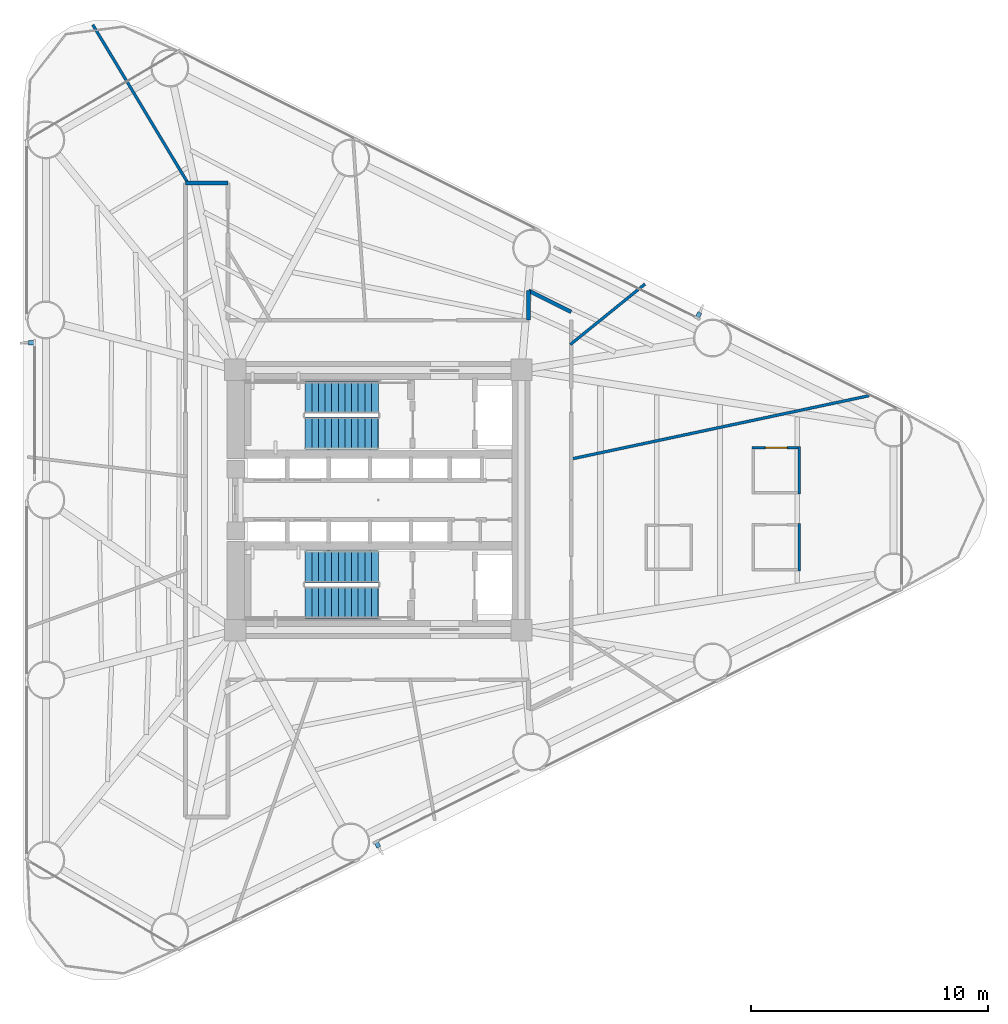
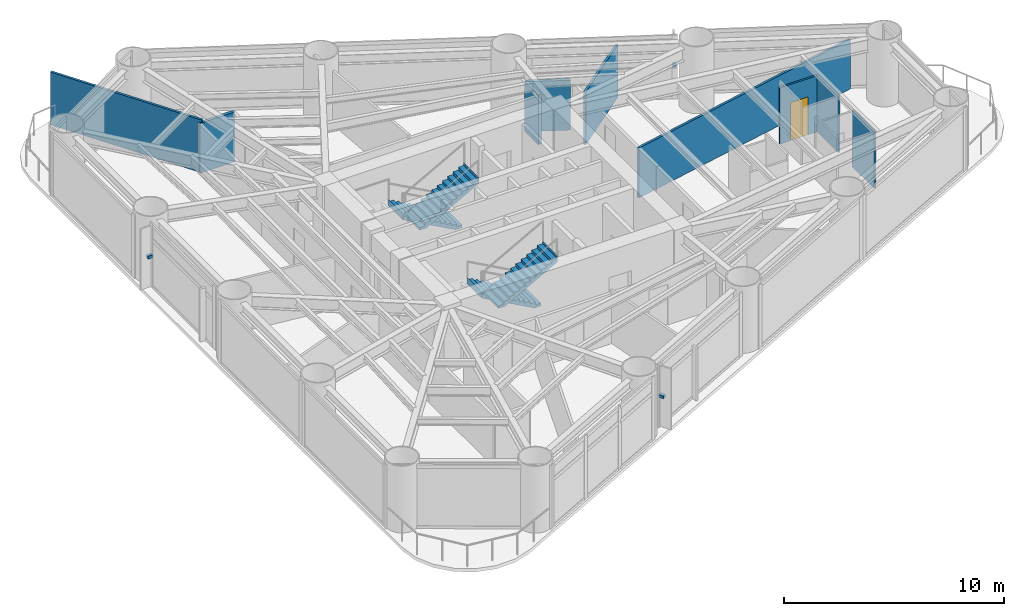
# One storey, part 7 of 10: 9 walls, 4 stair flights, 3 discrete accessories, 1 door, 1 opening, 2 elements without a shape of their own.
"""IFC4 building model written with IfcOpenShell, lengths in metres."""

from ifc_helpers import new_model, si_unit, direction, frame, frame_2d, origin, origin_2d, place, context, subcontext, project, spatial, polyline, rectangle, outline, extrude, source, transform, mapped, material, layer, layer_set, type_object, element, fill, aggregate, save


model = new_model("IFC4")

# Units and contexts
model_context = context("Model", 3, precision=1e-05, world=origin(), true_north=direction((0.0, 1.0)))
body_context = subcontext(model_context, "Body", "Model", "MODEL_VIEW")
ifc_project = project(units=[si_unit("LENGTHUNIT", "METRE"), si_unit("AREAUNIT", "SQUARE_METRE"), si_unit("VOLUMEUNIT", "CUBIC_METRE"), si_unit("PLANEANGLEUNIT", "RADIAN"), si_unit("MASSUNIT", "GRAM", prefix="KILO")], contexts=[model_context])

# Site, building, storey
site_placement = place(None, origin())
site = spatial("IfcSite", under=ifc_project, at=site_placement, CompositionType="ELEMENT")
building_placement = place(site_placement, origin())
building = spatial("IfcBuilding", under=site, at=building_placement, Name="Yunling Apex Tower", CompositionType="ELEMENT")
storey_placement = place(building_placement, frame((0.0, 0.0, 46.0)))
storey = spatial("IfcBuildingStorey", under=building, at=storey_placement, Name="L13", CompositionType="ELEMENT", Elevation=46.0)

# Walls
ifc_material_1 = material(Name="Gypsum board acoustic partition")
ifc_layer_1 = layer(ifc_material_1, 0.159912109375)
ifc_layer_set_1 = layer_set([ifc_layer_1], Name="Gypsum board acoustic partition")
wall_type_1 = type_object("IfcWallType", Name="WL-PRT-1", PredefinedType="PARTITIONING", material=ifc_layer_set_1)
wall_1_placement = place(storey_placement, frame((-8.14990234375, 13.39990234375, 0.0), z_axis=(0.0, 0.0, 1.0), x_axis=(1.0, 0.0, 0.0)))
element("IfcWall", 1, at=wall_1_placement, inside=storey, type_object=wall_type_1, Name="WL-CORR-L13-07", PredefinedType="PARTITIONING", context=body_context, shape_type="SweptSolid", body=[
    extrude(rectangle(XDim=1.7998046875, YDim=0.159912109375, at=frame_2d((0.89990234375, 0.0))), origin(), (0.0, 0.0, 1.0), 2.764892578125),
])
wall_2_placement = place(storey_placement, frame((6.35009765625, 7.60009765625, 0.0), z_axis=(0.0, 0.0, 1.0), x_axis=(0.0, 1.0, 0.0)))
element("IfcWall", 2, at=wall_2_placement, inside=storey, type_object=wall_type_1, Name="WL-CORR-L13-10", PredefinedType="PARTITIONING", context=body_context, shape_type="SweptSolid", body=[
    extrude(rectangle(XDim=1.24609375, YDim=0.159912109375, at=frame_2d((0.623046875, 0.0))), origin(), (0.0, 0.0, 1.0), 2.764892578125),
])
wall_3_placement = place(storey_placement, frame((6.35009765625, 8.84619140625, 0.0), z_axis=(0.0, 0.0, 1.0), x_axis=(0.895251454268, -0.445561256879, 0.0)))
element("IfcWall", 3, at=wall_3_placement, inside=storey, type_object=wall_type_1, Name="WL-CORR-L13-11", PredefinedType="PARTITIONING", context=body_context, shape_type="SweptSolid", body=[
    extrude(rectangle(XDim=2.010498046875, YDim=0.159912109375, at=frame_2d((1.00537109375, 0.0))), origin(), (0.0, 0.0, 1.0), 2.764892578125),
])
ifc_layer_2 = layer(ifc_material_1, 0.1201171875)
ifc_layer_set_2 = layer_set([ifc_layer_2], Name="Gypsum board acoustic partition")
wall_type_2 = type_object("IfcWallType", Name="WL-PRT-3", PredefinedType="PARTITIONING", material=ifc_layer_set_2)
wall_4_placement = place(storey_placement, frame((8.110107421875, 6.5673828125, 0.0), z_axis=(0.0, 0.0, 1.0), x_axis=(0.777144107081, 0.629322681007, 0.0)))
element("IfcWall", 4, at=wall_4_placement, inside=storey, type_object=wall_type_2, Name="WL-RAD-L13-01", PredefinedType="PARTITIONING", context=body_context, shape_type="SweptSolid", body=[
    extrude(rectangle(XDim=4.06298828125, YDim=0.1201171875, at=frame_2d((2.031494140625, 0.0))), origin(), (0.0, 0.0, 1.0), 2.925048828125),
])
wall_5_placement = place(storey_placement, frame((-8.027587890625, 13.360107421875, 0.0), z_axis=(0.0, 0.0, 1.0), x_axis=(-0.515031259007, 0.857171396073, 0.0)))
element("IfcWall", 5, at=wall_5_placement, inside=storey, type_object=wall_type_2, Name="WL-RAD-L13-04", PredefinedType="PARTITIONING", context=body_context, shape_type="SweptSolid", body=[
    extrude(rectangle(XDim=7.8427734375, YDim=0.1201171875, at=frame_2d((3.92138671875, 0.0))), origin(), (0.0, 0.0, 1.0), 2.925048828125),
])
wall_6_placement = place(storey_placement, frame((8.110107421875, 1.723876953125, 0.0), z_axis=(0.0, 0.0, 1.0), x_axis=(0.978149384457, 0.207903298882, 0.0)))
element("IfcWall", 6, at=wall_6_placement, inside=storey, type_object=wall_type_2, Name="WL-RAD-L13-10", PredefinedType="PARTITIONING", context=body_context, shape_type="SweptSolid", body=[
    extrude(rectangle(XDim=12.913818359375, YDim=0.1201171875, at=frame_2d((6.45703125, 0.0))), origin(), (0.0, 0.0, 1.0), 2.764892578125),
])
ifc_layer_3 = layer(ifc_material_1, 0.10009765625)
ifc_layer_set_3 = layer_set([ifc_layer_3], Name="Gypsum board acoustic partition")
wall_type_3 = type_object("IfcWallType", Name="WL-PRT-4", PredefinedType="PARTITIONING", material=ifc_layer_set_3)
wall_7_placement = place(storey_placement, frame((17.794921875, -0.9970703125, 0.0), z_axis=(0.0, 0.0, 1.0), x_axis=(0.0, -1.0, 0.0)))
element("IfcWall", 7, at=wall_7_placement, inside=storey, type_object=wall_type_3, Name="WL-L13-WCME", PredefinedType="PARTITIONING", context=body_context, shape_type="SweptSolid", body=[
    extrude(rectangle(XDim=2.0, YDim=0.10009765625, at=frame_2d((1.0, 0.0))), origin(), (0.0, 0.0, 1.0), 3.114990234375),
])

# Wall, opening, door
wall_8_placement = place(storey_placement, frame((15.794921875, 2.2109375, 0.0), z_axis=(0.0, 0.0, 1.0), x_axis=(1.0, 0.0, 0.0)))
wall_8 = element("IfcWall", 8, at=wall_8_placement, inside=storey, type_object=wall_type_3, Name="WL-L13-WCFN", PredefinedType="PARTITIONING", context=body_context, shape_type="SweptSolid", body=[
    extrude(rectangle(XDim=2.050048828125, YDim=0.10009765625, at=frame_2d((1.02490234375, 0.0))), origin(), (0.0, 0.0, 1.0), 3.114990234375),
])
opening_placement = place(wall_8_placement, frame((0.56494140625, 0.0, 0.0)))
opening = element("IfcOpeningElement", 9, at=opening_placement, cuts=wall_8, Name="Opening DR-WC-1", PredefinedType="OPENING", context=body_context, shape_type="SweptSolid", body=[
    extrude(rectangle(XDim=0.919921875, YDim=2.10009765625, at=frame_2d((0.4599609375, 1.050048828125))), frame((0.0, 0.06005859375, 0.0), z_axis=(0.0, -1.0, 0.0), x_axis=(1.0, 0.0, 0.0)), (0.0, 0.0, 1.0), 0.1201171875),
])
ifc_material_2 = material(Name="Timber moisture-resistant leaf", Category="wood")
door_type = type_object("IfcDoorType", Name="DR-WC-1", OperationType="NOTDEFINED", PredefinedType="DOOR", material=ifc_material_2)
door_placement = place(opening_placement, origin())
door = element("IfcDoor", 10, at=door_placement, inside=storey, type_object=door_type, Name="L13 Female Toilet Door", OperationType="SINGLE_SWING_RIGHT", OverallHeight=2.10009765625, OverallWidth=0.919921875, PredefinedType="DOOR", context=body_context, shape_type="SweptSolid", body=[
    extrude(rectangle(XDim=0.919921875, YDim=2.10009765625, at=frame_2d((0.4599609375, 1.050048828125))), frame((0.0, 0.02490234375, 0.0), z_axis=(0.0, -1.0, 0.0), x_axis=(1.0, 0.0, 0.0)), (0.0, 0.0, 1.0), 0.050048828125),
])
fill(opening, door)

# Wall
wall_9_placement = place(storey_placement, frame((17.794921875, 2.260986328125, 0.0), z_axis=(0.0, 0.0, 1.0), x_axis=(0.0, -1.0, 0.0)))
element("IfcWall", 11, at=wall_9_placement, inside=storey, type_object=wall_type_3, Name="WL-L13-WCFE", PredefinedType="PARTITIONING", context=body_context, shape_type="SweptSolid", body=[
    extrude(rectangle(XDim=2.0, YDim=0.10009765625, at=frame_2d((1.0, 0.0))), origin(), (0.0, 0.0, 1.0), 3.114990234375),
])

# Stair, stair flights
ifc_material_3 = material(Name="Concrete C40", Category="concrete")
stair_type = type_object("IfcStairType", Name="ST-TWR-1", PredefinedType="HALF_TURN_STAIR", material=ifc_material_3)
stair_1_placement = place(storey_placement, origin())
stair_1 = element("IfcStair", 12, at=stair_1_placement, inside=storey, type_object=stair_type, Name="L13 North Core Smokeproof Exit Stair ST-1", PredefinedType="HALF_TURN_STAIR")
stair_flight_type = type_object("IfcStairFlightType", Name="SFL-TWR-1", PredefinedType="STRAIGHT", material=ifc_material_3)
stair_flight_1_placement = place(storey_placement, frame((-0.010009765625, 4.330078125, 0.0), z_axis=(0.0, 0.0, 1.0), x_axis=(-1.0, 0.0, 0.0)))
stair_flight_1 = element("IfcStairFlight", 13, at=stair_flight_1_placement, type_object=stair_flight_type, Name="ST-1 flight 1", NumberOfRisers=12, NumberOfTreads=11, PredefinedType="STRAIGHT", RiserHeight=0.154166667, TreadLength=0.28, context=body_context, shape_type="SweptSolid", body=[
    extrude(outline(polyline([(-0.011962890625, 0.0), (-0.011962890625, 0.154052734375), (0.0, 0.154052734375), (0.280029296875, 0.154052734375), (0.280029296875, 0.308349609375), (0.56005859375, 0.308349609375), (0.56005859375, 0.46240234375), (0.840087890625, 0.46240234375), (0.840087890625, 0.61669921875), (1.1201171875, 0.61669921875), (1.1201171875, 0.770751953125), (1.39990234375, 0.770751953125), (1.39990234375, 0.925048828125), (1.679931640625, 0.925048828125), (1.679931640625, 1.0791015625), (1.9599609375, 1.0791015625), (1.9599609375, 1.2333984375), (2.239990234375, 1.2333984375), (2.239990234375, 1.387451171875), (2.52001953125, 1.387451171875), (2.52001953125, 1.541748046875), (2.800048828125, 1.541748046875), (2.800048828125, 1.69580078125), (3.080078125, 1.69580078125), (3.080078125, 1.85009765625), (3.092041015625, 1.85009765625), (3.092041015625, 1.51318359375), (0.33154296875, 0.0), (-0.011962890625, 0.0)])), frame((0.0, 0.68017578125, 0.0), z_axis=(0.0, -1.0, 0.0), x_axis=(1.0, 0.0, 0.0)), (0.0, 0.0, 1.0), 1.360107421875),
])
stair_flight_2_placement = place(storey_placement, frame((-3.090087890625, 2.820068359375, 1.85009765625), z_axis=(0.0, 0.0, 1.0), x_axis=(1.0, 0.0, 0.0)))
stair_flight_2 = element("IfcStairFlight", 14, at=stair_flight_2_placement, type_object=stair_flight_type, Name="ST-1 flight 2", NumberOfRisers=12, NumberOfTreads=11, PredefinedType="STRAIGHT", RiserHeight=0.154166667, TreadLength=0.28, context=body_context, shape_type="SweptSolid", body=[
    extrude(outline(polyline([(-0.011962890625, 0.0), (-0.011962890625, 0.154052734375), (0.0, 0.154052734375), (0.280029296875, 0.154052734375), (0.280029296875, 0.308349609375), (0.56005859375, 0.308349609375), (0.56005859375, 0.46240234375), (0.840087890625, 0.46240234375), (0.840087890625, 0.61669921875), (1.1201171875, 0.61669921875), (1.1201171875, 0.770751953125), (1.39990234375, 0.770751953125), (1.39990234375, 0.925048828125), (1.679931640625, 0.925048828125), (1.679931640625, 1.0791015625), (1.9599609375, 1.0791015625), (1.9599609375, 1.2333984375), (2.239990234375, 1.2333984375), (2.239990234375, 1.387451171875), (2.52001953125, 1.387451171875), (2.52001953125, 1.541748046875), (2.800048828125, 1.541748046875), (2.800048828125, 1.69580078125), (3.080078125, 1.69580078125), (3.080078125, 1.85009765625), (3.092041015625, 1.85009765625), (3.092041015625, 1.51318359375), (0.33154296875, 0.0), (-0.011962890625, 0.0)])), frame((0.0, 0.68017578125, 0.0), z_axis=(0.0, -1.0, 0.0), x_axis=(1.0, 0.0, 0.0)), (0.0, 0.0, 1.0), 1.360107421875),
])
aggregate(stair_1, [stair_flight_1, stair_flight_2])

stair_2_placement = place(storey_placement, origin())
stair_2 = element("IfcStair", 15, at=stair_2_placement, inside=storey, type_object=stair_type, Name="L13 South Core Smokeproof Exit Stair ST-2", PredefinedType="HALF_TURN_STAIR")
stair_flight_3_placement = place(storey_placement, frame((-0.010009765625, -2.820068359375, 0.0), z_axis=(0.0, 0.0, 1.0), x_axis=(-1.0, 0.0, 0.0)))
stair_flight_3 = element("IfcStairFlight", 16, at=stair_flight_3_placement, type_object=stair_flight_type, Name="ST-2 flight 1", NumberOfRisers=12, NumberOfTreads=11, PredefinedType="STRAIGHT", RiserHeight=0.154166667, TreadLength=0.28, context=body_context, shape_type="SweptSolid", body=[
    extrude(outline(polyline([(-0.011962890625, 0.0), (-0.011962890625, 0.154052734375), (0.0, 0.154052734375), (0.280029296875, 0.154052734375), (0.280029296875, 0.308349609375), (0.56005859375, 0.308349609375), (0.56005859375, 0.46240234375), (0.840087890625, 0.46240234375), (0.840087890625, 0.61669921875), (1.1201171875, 0.61669921875), (1.1201171875, 0.770751953125), (1.39990234375, 0.770751953125), (1.39990234375, 0.925048828125), (1.679931640625, 0.925048828125), (1.679931640625, 1.0791015625), (1.9599609375, 1.0791015625), (1.9599609375, 1.2333984375), (2.239990234375, 1.2333984375), (2.239990234375, 1.387451171875), (2.52001953125, 1.387451171875), (2.52001953125, 1.541748046875), (2.800048828125, 1.541748046875), (2.800048828125, 1.69580078125), (3.080078125, 1.69580078125), (3.080078125, 1.85009765625), (3.092041015625, 1.85009765625), (3.092041015625, 1.51318359375), (0.33154296875, 0.0), (-0.011962890625, 0.0)])), frame((0.0, 0.68017578125, 0.0), z_axis=(0.0, -1.0, 0.0), x_axis=(1.0, 0.0, 0.0)), (0.0, 0.0, 1.0), 1.360107421875),
])
stair_flight_4_placement = place(storey_placement, frame((-3.090087890625, -4.330078125, 1.85009765625), z_axis=(0.0, 0.0, 1.0), x_axis=(1.0, 0.0, 0.0)))
stair_flight_4 = element("IfcStairFlight", 17, at=stair_flight_4_placement, type_object=stair_flight_type, Name="ST-2 flight 2", NumberOfRisers=12, NumberOfTreads=11, PredefinedType="STRAIGHT", RiserHeight=0.154166667, TreadLength=0.28, context=body_context, shape_type="SweptSolid", body=[
    extrude(outline(polyline([(-0.011962890625, 0.0), (-0.011962890625, 0.154052734375), (0.0, 0.154052734375), (0.280029296875, 0.154052734375), (0.280029296875, 0.308349609375), (0.56005859375, 0.308349609375), (0.56005859375, 0.46240234375), (0.840087890625, 0.46240234375), (0.840087890625, 0.61669921875), (1.1201171875, 0.61669921875), (1.1201171875, 0.770751953125), (1.39990234375, 0.770751953125), (1.39990234375, 0.925048828125), (1.679931640625, 0.925048828125), (1.679931640625, 1.0791015625), (1.9599609375, 1.0791015625), (1.9599609375, 1.2333984375), (2.239990234375, 1.2333984375), (2.239990234375, 1.387451171875), (2.52001953125, 1.387451171875), (2.52001953125, 1.541748046875), (2.800048828125, 1.541748046875), (2.800048828125, 1.69580078125), (3.080078125, 1.69580078125), (3.080078125, 1.85009765625), (3.092041015625, 1.85009765625), (3.092041015625, 1.51318359375), (0.33154296875, 0.0), (-0.011962890625, 0.0)])), frame((0.0, 0.68017578125, 0.0), z_axis=(0.0, -1.0, 0.0), x_axis=(1.0, 0.0, 0.0)), (0.0, 0.0, 1.0), 1.360107421875),
])
aggregate(stair_2, [stair_flight_3, stair_flight_4])

# Discrete accessories
ifc_material_4 = material(Name="Steel Q355B", Category="steel")
discrete_accessory_type = type_object("IfcDiscreteAccessoryType", Name="BK-FIN-1", PredefinedType="BRACKET", material=ifc_material_4)
shared_shape = source(origin(), body_context, "Body", "SweptSolid", [
    extrude(rectangle(XDim=0.179931640625, YDim=0.260009765625, at=origin_2d()), origin(), (0.0, 0.0, 1.0), 0.159912109375),
])
for number, where, z_axis, x_axis, name in (
    (18, (-0.0380859375, -14.561279296875, 1.66015625), (0.0, 0.0, 1.0), (0.895245648325, 0.445572922377, 0.0), "CW-L13-F1-B2-BRK-01-1"),
    (19, (13.527587890625, 7.8095703125, 1.66015625), (0.0, 0.0, 1.0), (-0.895245648325, 0.445572922377, 0.0), "CW-L13-F2-B2-BRK-01-1"),
    (20, (-14.652099609375, 6.64697265625, 1.66015625), (0.0, 0.0, 1.0), (0.0, -1.0, 0.0), "CW-L13-F3-B2-BRK-01-1"),
):
    element("IfcDiscreteAccessory", number, at=place(storey_placement, frame(where, z_axis=z_axis, x_axis=x_axis)), inside=storey, type_object=discrete_accessory_type, Name=name, PredefinedType="BRACKET", context=body_context, shape_type="MappedRepresentation", body=[
        mapped(shared_shape, transform((0.0, 0.0, 0.0), scale=1.0)),
    ])

save(model, "model.ifc")
